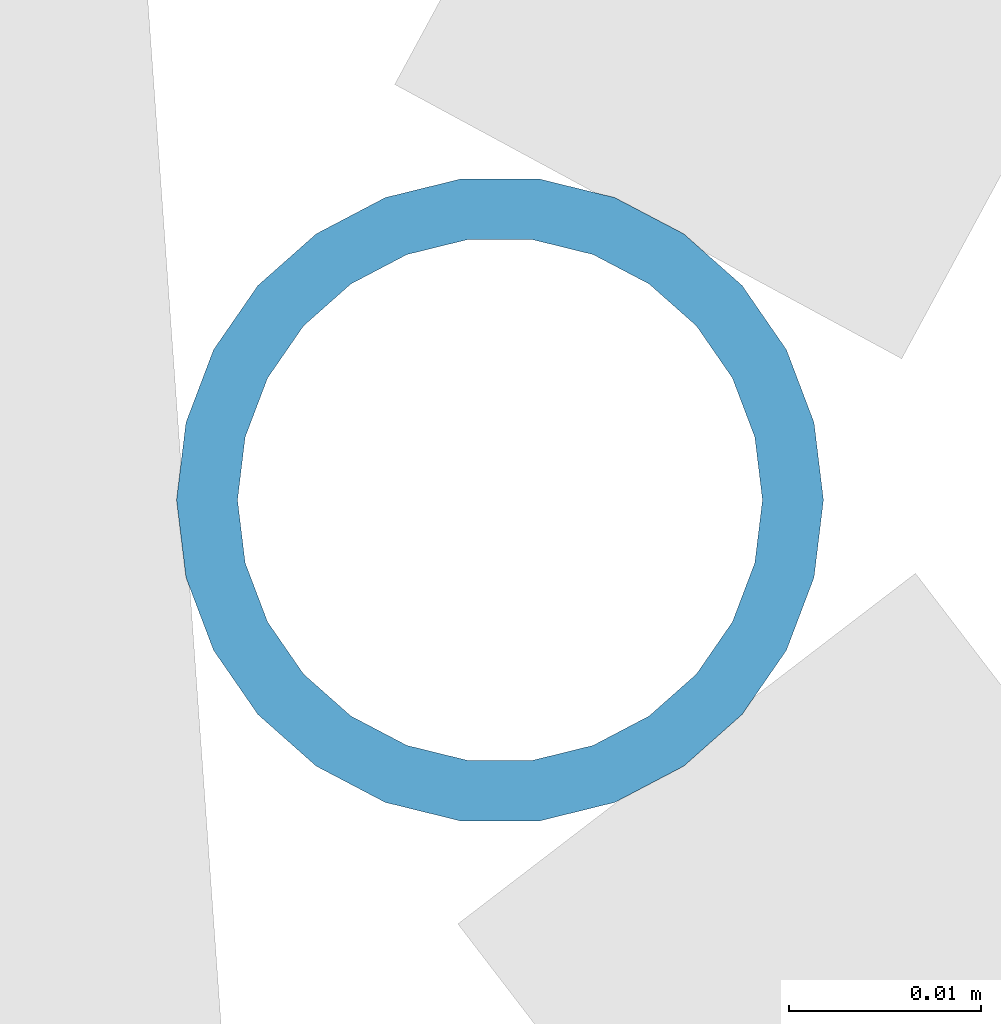
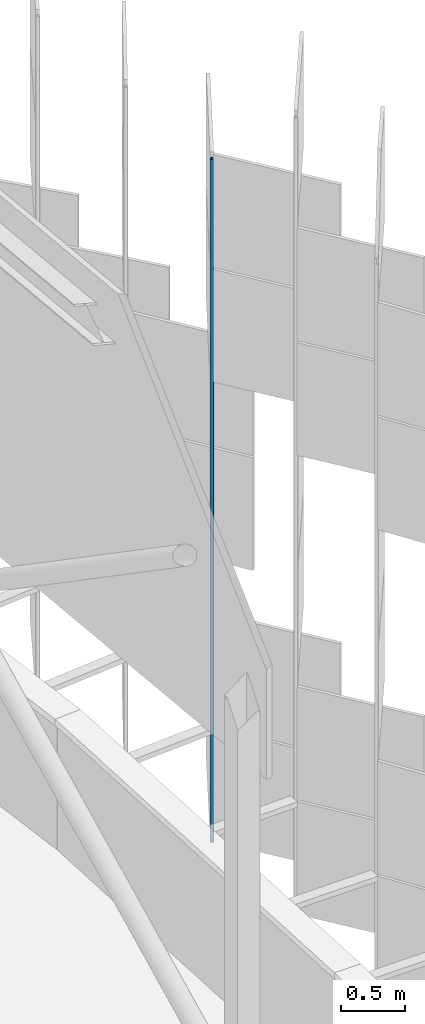
# One storey, part 289 of 483: 1 discrete accessory.
"""IFC4 building model written with IfcOpenShell, lengths in metres."""

from ifc_helpers import new_model, si_unit, direction, frame, origin, origin_2d, place, context, subcontext, project, spatial, hollow_circle, extrude, material, material_profile, profile_set, type_object, element, save


model = new_model("IFC4")

# Units and contexts
model_context = context("Model", 3, precision=1e-05, world=origin(), true_north=direction((0.0, 1.0)))
body_context = subcontext(model_context, "Body", "Model", "MODEL_VIEW")
ifc_project = project(units=[si_unit("LENGTHUNIT", "METRE"), si_unit("AREAUNIT", "SQUARE_METRE"), si_unit("VOLUMEUNIT", "CUBIC_METRE"), si_unit("PLANEANGLEUNIT", "RADIAN"), si_unit("MASSUNIT", "GRAM", prefix="KILO")], contexts=[model_context])

# Site, building, storey
site_placement = place(None, origin())
site = spatial("IfcSite", under=ifc_project, at=site_placement, CompositionType="ELEMENT")
building_placement = place(site_placement, origin())
building = spatial("IfcBuilding", under=site, at=building_placement, Name="Parallax Yard Mobility Hub", CompositionType="ELEMENT")
storey_placement = place(building_placement, frame((0.0, 0.0, 13.199951171875)))
storey = spatial("IfcBuildingStorey", under=building, at=storey_placement, Name="L04", CompositionType="ELEMENT", Elevation=13.199951171875)

# Discrete accessory
ifc_material = material(Name="Steel ASTM A500 Gr C, hot-dip galvanised", Category="steel")
ifc_material_profile = material_profile(ifc_material, hollow_circle(Radius=0.016845703125, WallThickness=0.003173828125, at=origin_2d()), Name="CHS 33.7x3.2")
ifc_profile_set = profile_set([ifc_material_profile], Name="Steel ASTM A500 Gr C, hot-dip galvanised")
discrete_accessory_type = type_object("IfcDiscreteAccessoryType", Name="Hinge post CHS 33.7x3.2", PredefinedType="BRACKET", material=ifc_profile_set)
discrete_accessory_placement = place(storey_placement, frame((225.697998046875, 93.590087890625, 0.0), z_axis=(0.0, 0.0, 1.0), x_axis=(1.0, 0.0, 0.0)))
element("IfcDiscreteAccessory", 1, at=discrete_accessory_placement, inside=storey, type_object=discrete_accessory_type, Name="Hinge post bay 41.4 level L04", PredefinedType="BRACKET", context=body_context, shape_type="SweptSolid", body=[
    extrude(hollow_circle(Radius=0.016845703125, WallThickness=0.003173828125, at=origin_2d()), origin(), (0.0, 0.0, 1.0), 6.550048828125),
])

save(model, "model.ifc")
